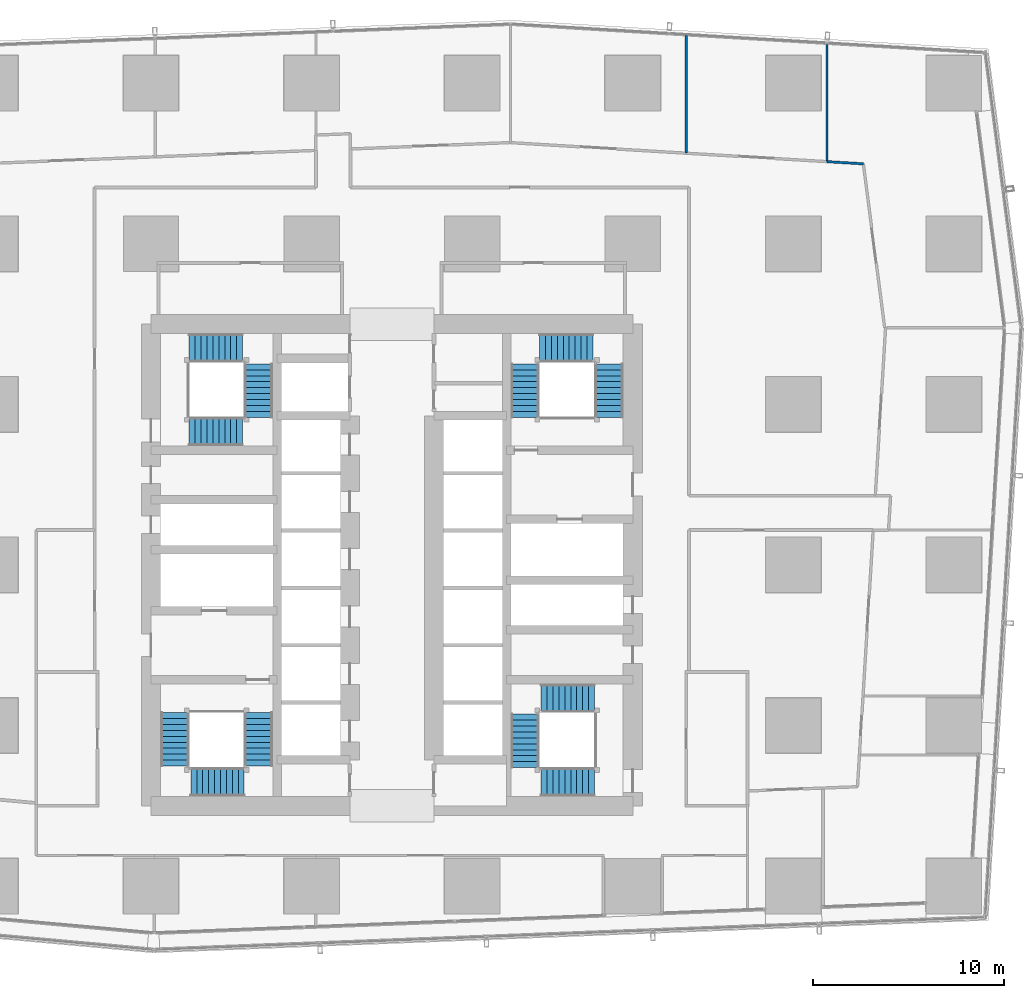
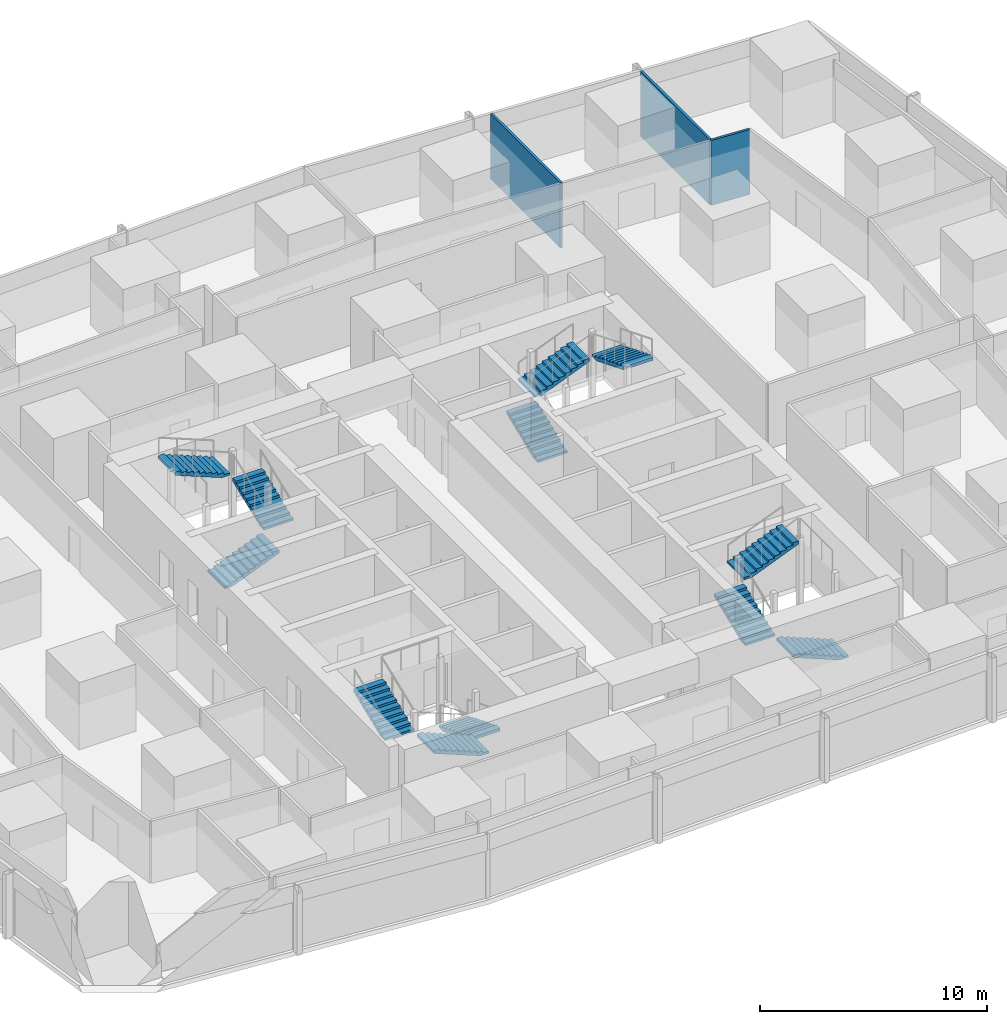
# One storey, part 32 of 40: 12 stair flights, 3 walls, 4 elements without a shape of their own.
"""IFC4 building model written with IfcOpenShell, lengths in metres."""

from ifc_helpers import new_model, si_unit, direction, frame, frame_2d, origin, place, context, subcontext, project, spatial, polyline, rectangle, outline, extrude, material, layer, layer_set, type_object, element, aggregate, save


model = new_model("IFC4")

# Units and contexts
model_context = context("Model", 3, precision=1e-05, world=origin(), true_north=direction((0.0, 1.0)))
body_context = subcontext(model_context, "Body", "Model", "MODEL_VIEW")
ifc_project = project(units=[si_unit("LENGTHUNIT", "METRE"), si_unit("AREAUNIT", "SQUARE_METRE"), si_unit("VOLUMEUNIT", "CUBIC_METRE"), si_unit("PLANEANGLEUNIT", "RADIAN"), si_unit("MASSUNIT", "GRAM", prefix="KILO")], contexts=[model_context])

# Site, building, storey
site_placement = place(None, origin())
site = spatial("IfcSite", under=ifc_project, at=site_placement, CompositionType="ELEMENT")
building_placement = place(site_placement, origin())
building = spatial("IfcBuilding", under=site, at=building_placement, Name="Rekha Terrace Tower", CompositionType="ELEMENT")
storey_placement = place(building_placement, frame((0.0, 0.0, 95.300048828125)))
storey = spatial("IfcBuildingStorey", under=building, at=storey_placement, Name="L23", CompositionType="ELEMENT", Elevation=95.300048828125)

# Walls
ifc_material_1 = material(Name="Two layers of fire-rated gypsum board each side on steel studs, acoustic quilt, 1 hour", Category="steel")
ifc_layer = layer(ifc_material_1, 0.125)
ifc_layer_set = layer_set([ifc_layer], Name="Two layers of fire-rated gypsum board each side on steel studs, acoustic quilt, 1 hour")
wall_type = type_object("IfcWallType", Name="WP3 125 office partition", PredefinedType="PARTITIONING", material=ifc_layer_set)
wall_1_placement = place(storey_placement, frame((60.56201171875, 54.696044921875, 0.0), z_axis=(0.0, 0.0, 1.0), x_axis=(0.0, 1.0, 0.0)))
element("IfcWall", 1, at=wall_1_placement, inside=storey, type_object=wall_type, Name="Partition L23-03", PredefinedType="PARTITIONING", context=body_context, shape_type="SweptSolid", body=[
    extrude(rectangle(XDim=6.130859375, YDim=0.125, at=frame_2d((3.0654296875, 0.0))), origin(), (0.0, 0.0, 1.0), 3.5),
])
wall_2_placement = place(storey_placement, frame((62.462890625, 54.58203125, 0.0), z_axis=(0.0, 0.0, 1.0), x_axis=(-0.998206071612, 0.059871851457, 0.0)))
element("IfcWall", 2, at=wall_2_placement, inside=storey, type_object=wall_type, Name="Partition L23-03", PredefinedType="PARTITIONING", context=body_context, shape_type="SweptSolid", body=[
    extrude(rectangle(XDim=1.904296875, YDim=0.125, at=frame_2d((0.9521484375, 0.0))), origin(), (0.0, 0.0, 1.0), 3.5),
])
wall_3_placement = place(storey_placement, frame((53.197021484375, 55.137939453125, 0.0), z_axis=(0.0, 0.0, 1.0), x_axis=(0.0, 1.0, 0.0)))
element("IfcWall", 3, at=wall_3_placement, inside=storey, type_object=wall_type, Name="Partition L23-04", PredefinedType="PARTITIONING", context=body_context, shape_type="SweptSolid", body=[
    extrude(rectangle(XDim=6.1611328125, YDim=0.125, at=frame_2d((3.08056640625, 0.0))), origin(), (0.0, 0.0, 1.0), 3.5),
])

# Stair, stair flights
ifc_material_2 = material(Name="Concrete M40", Category="concrete")
stair_type = type_object("IfcStairType", Name="ST30 stair, 30 risers of 125, going 310, 1500 wide flights, 3 flights", PredefinedType="HALF_TURN_STAIR", material=ifc_material_2)
stair_1_placement = place(storey_placement, origin())
stair_1 = element("IfcStair", 4, at=stair_1_placement, inside=storey, type_object=stair_type, Name="Stair ST1 L23 to L24", PredefinedType="HALF_TURN_STAIR")
stair_flight_type = type_object("IfcStairFlightType", Name="SF10 stair flight, 10 risers of 125, going 310, 1500 wide", PredefinedType="STRAIGHT", material=ifc_material_2)
stair_flight_1_placement = place(storey_placement, frame((30.824951171875, 25.875, 0.0), z_axis=(0.0, 0.0, 1.0), x_axis=(0.0, -1.0, 0.0)))
stair_flight_1 = element("IfcStairFlight", 5, at=stair_flight_1_placement, type_object=stair_flight_type, Name="ST1 flight 1", NumberOfRisers=10, NumberOfTreads=9, PredefinedType="STRAIGHT", RiserHeight=0.125, TreadLength=0.31, context=body_context, shape_type="SweptSolid", body=[
    extrude(outline(polyline([(0.0, 0.0), (0.0, 0.125), (0.31005859375, 0.125), (0.31005859375, 0.25), (0.6201171875, 0.25), (0.6201171875, 0.375), (0.929931640625, 0.375), (0.929931640625, 0.5), (1.239990234375, 0.5), (1.239990234375, 0.625), (1.550048828125, 0.625), (1.550048828125, 0.75), (1.860107421875, 0.75), (1.860107421875, 0.875), (2.169921875, 0.875), (2.169921875, 1.0), (2.47998046875, 1.0), (2.47998046875, 1.125), (2.7900390625, 1.125), (2.7900390625, 1.25), (2.7900390625, 0.96337890625), (0.40087890625, 0.0), (0.0, 0.0)])), frame((0.0, 0.75, 0.0), z_axis=(0.0, -1.0, 0.0), x_axis=(1.0, 0.0, 0.0)), (0.0, 0.0, 1.0), 1.5),
])
stair_flight_2_placement = place(storey_placement, frame((30.074951171875, 22.25, 1.25), z_axis=(0.0, 0.0, 1.0), x_axis=(-1.0, 0.0, 0.0)))
stair_flight_2 = element("IfcStairFlight", 6, at=stair_flight_2_placement, type_object=stair_flight_type, Name="ST1 flight 2", NumberOfRisers=10, NumberOfTreads=9, PredefinedType="STRAIGHT", RiserHeight=0.125, TreadLength=0.31, context=body_context, shape_type="SweptSolid", body=[
    extrude(outline(polyline([(0.0, 0.0), (0.0, 0.125), (0.31005859375, 0.125), (0.31005859375, 0.25), (0.6201171875, 0.25), (0.6201171875, 0.375), (0.929931640625, 0.375), (0.929931640625, 0.5), (1.239990234375, 0.5), (1.239990234375, 0.625), (1.550048828125, 0.625), (1.550048828125, 0.75), (1.860107421875, 0.75), (1.860107421875, 0.875), (2.169921875, 0.875), (2.169921875, 1.0), (2.47998046875, 1.0), (2.47998046875, 1.125), (2.7900390625, 1.125), (2.7900390625, 1.25), (2.7900390625, 0.96337890625), (0.40087890625, 0.0), (0.0, 0.0)])), frame((0.0, 0.75, 0.0), z_axis=(0.0, -1.0, 0.0), x_axis=(1.0, 0.0, 0.0)), (0.0, 0.0, 1.0), 1.5),
])
stair_flight_3_placement = place(storey_placement, frame((26.449951171875, 23.0849609375, 2.5), z_axis=(0.0, 0.0, 1.0), x_axis=(0.0, 1.0, 0.0)))
stair_flight_3 = element("IfcStairFlight", 7, at=stair_flight_3_placement, type_object=stair_flight_type, Name="ST1 flight 3", NumberOfRisers=10, NumberOfTreads=9, PredefinedType="STRAIGHT", RiserHeight=0.125, TreadLength=0.31, context=body_context, shape_type="SweptSolid", body=[
    extrude(outline(polyline([(0.0, 0.0), (0.0, 0.125), (0.31005859375, 0.125), (0.31005859375, 0.25), (0.6201171875, 0.25), (0.6201171875, 0.375), (0.929931640625, 0.375), (0.929931640625, 0.5), (1.239990234375, 0.5), (1.239990234375, 0.625), (1.550048828125, 0.625), (1.550048828125, 0.75), (1.860107421875, 0.75), (1.860107421875, 0.875), (2.169921875, 0.875), (2.169921875, 1.0), (2.47998046875, 1.0), (2.47998046875, 1.125), (2.7900390625, 1.125), (2.7900390625, 1.25), (2.7900390625, 0.96337890625), (0.40087890625, 0.0), (0.0, 0.0)])), frame((0.0, 0.75, 0.0), z_axis=(0.0, -1.0, 0.0), x_axis=(1.0, 0.0, 0.0)), (0.0, 0.0, 1.0), 1.5),
])
aggregate(stair_1, [stair_flight_1, stair_flight_2, stair_flight_3])

stair_2_placement = place(storey_placement, origin())
stair_2 = element("IfcStair", 8, at=stair_2_placement, inside=storey, type_object=stair_type, Name="Stair ST2 L23 to L24", PredefinedType="HALF_TURN_STAIR")
stair_flight_4_placement = place(storey_placement, frame((44.77490234375, 41.324951171875, 0.0), z_axis=(0.0, 0.0, 1.0), x_axis=(0.0, 1.0, 0.0)))
stair_flight_4 = element("IfcStairFlight", 9, at=stair_flight_4_placement, type_object=stair_flight_type, Name="ST2 flight 1", NumberOfRisers=10, NumberOfTreads=9, PredefinedType="STRAIGHT", RiserHeight=0.125, TreadLength=0.31, context=body_context, shape_type="SweptSolid", body=[
    extrude(outline(polyline([(0.0, 0.0), (0.0, 0.125), (0.31005859375, 0.125), (0.31005859375, 0.25), (0.6201171875, 0.25), (0.6201171875, 0.375), (0.929931640625, 0.375), (0.929931640625, 0.5), (1.239990234375, 0.5), (1.239990234375, 0.625), (1.550048828125, 0.625), (1.550048828125, 0.75), (1.860107421875, 0.75), (1.860107421875, 0.875), (2.169921875, 0.875), (2.169921875, 1.0), (2.47998046875, 1.0), (2.47998046875, 1.125), (2.7900390625, 1.125), (2.7900390625, 1.25), (2.7900390625, 0.96337890625), (0.40087890625, 0.0), (0.0, 0.0)])), frame((0.0, 0.75, 0.0), z_axis=(0.0, -1.0, 0.0), x_axis=(1.0, 0.0, 0.0)), (0.0, 0.0, 1.0), 1.5),
])
stair_flight_5_placement = place(storey_placement, frame((45.52490234375, 44.949951171875, 1.25), z_axis=(0.0, 0.0, 1.0), x_axis=(1.0, 0.0, 0.0)))
stair_flight_5 = element("IfcStairFlight", 10, at=stair_flight_5_placement, type_object=stair_flight_type, Name="ST2 flight 2", NumberOfRisers=10, NumberOfTreads=9, PredefinedType="STRAIGHT", RiserHeight=0.125, TreadLength=0.31, context=body_context, shape_type="SweptSolid", body=[
    extrude(outline(polyline([(0.0, 0.0), (0.0, 0.125), (0.31005859375, 0.125), (0.31005859375, 0.25), (0.6201171875, 0.25), (0.6201171875, 0.375), (0.929931640625, 0.375), (0.929931640625, 0.5), (1.239990234375, 0.5), (1.239990234375, 0.625), (1.550048828125, 0.625), (1.550048828125, 0.75), (1.860107421875, 0.75), (1.860107421875, 0.875), (2.169921875, 0.875), (2.169921875, 1.0), (2.47998046875, 1.0), (2.47998046875, 1.125), (2.7900390625, 1.125), (2.7900390625, 1.25), (2.7900390625, 0.96337890625), (0.40087890625, 0.0), (0.0, 0.0)])), frame((0.0, 0.75, 0.0), z_axis=(0.0, -1.0, 0.0), x_axis=(1.0, 0.0, 0.0)), (0.0, 0.0, 1.0), 1.5),
])
stair_flight_6_placement = place(storey_placement, frame((49.14990234375, 44.114990234375, 2.5), z_axis=(0.0, 0.0, 1.0), x_axis=(0.0, -1.0, 0.0)))
stair_flight_6 = element("IfcStairFlight", 11, at=stair_flight_6_placement, type_object=stair_flight_type, Name="ST2 flight 3", NumberOfRisers=10, NumberOfTreads=9, PredefinedType="STRAIGHT", RiserHeight=0.125, TreadLength=0.31, context=body_context, shape_type="SweptSolid", body=[
    extrude(outline(polyline([(0.0, 0.0), (0.0, 0.125), (0.31005859375, 0.125), (0.31005859375, 0.25), (0.6201171875, 0.25), (0.6201171875, 0.375), (0.929931640625, 0.375), (0.929931640625, 0.5), (1.239990234375, 0.5), (1.239990234375, 0.625), (1.550048828125, 0.625), (1.550048828125, 0.75), (1.860107421875, 0.75), (1.860107421875, 0.875), (2.169921875, 0.875), (2.169921875, 1.0), (2.47998046875, 1.0), (2.47998046875, 1.125), (2.7900390625, 1.125), (2.7900390625, 1.25), (2.7900390625, 0.96337890625), (0.40087890625, 0.0), (0.0, 0.0)])), frame((0.0, 0.75, 0.0), z_axis=(0.0, -1.0, 0.0), x_axis=(1.0, 0.0, 0.0)), (0.0, 0.0, 1.0), 1.5),
])
aggregate(stair_2, [stair_flight_4, stair_flight_5, stair_flight_6])

stair_3_placement = place(storey_placement, origin())
stair_3 = element("IfcStair", 12, at=stair_3_placement, inside=storey, type_object=stair_type, Name="Stair ST3 L23 to L24", PredefinedType="HALF_TURN_STAIR")
stair_flight_7_placement = place(storey_placement, frame((48.39990234375, 22.25, 0.0), z_axis=(0.0, 0.0, 1.0), x_axis=(-1.0, 0.0, 0.0)))
stair_flight_7 = element("IfcStairFlight", 13, at=stair_flight_7_placement, type_object=stair_flight_type, Name="ST3 flight 1", NumberOfRisers=10, NumberOfTreads=9, PredefinedType="STRAIGHT", RiserHeight=0.125, TreadLength=0.31, context=body_context, shape_type="SweptSolid", body=[
    extrude(outline(polyline([(0.0, 0.0), (0.0, 0.125), (0.31005859375, 0.125), (0.31005859375, 0.25), (0.6201171875, 0.25), (0.6201171875, 0.375), (0.929931640625, 0.375), (0.929931640625, 0.5), (1.239990234375, 0.5), (1.239990234375, 0.625), (1.550048828125, 0.625), (1.550048828125, 0.75), (1.860107421875, 0.75), (1.860107421875, 0.875), (2.169921875, 0.875), (2.169921875, 1.0), (2.47998046875, 1.0), (2.47998046875, 1.125), (2.7900390625, 1.125), (2.7900390625, 1.25), (2.7900390625, 0.96337890625), (0.40087890625, 0.0), (0.0, 0.0)])), frame((0.0, 0.75, 0.0), z_axis=(0.0, -1.0, 0.0), x_axis=(1.0, 0.0, 0.0)), (0.0, 0.0, 1.0), 1.5),
])
stair_flight_8_placement = place(storey_placement, frame((44.77490234375, 23.0, 1.25), z_axis=(0.0, 0.0, 1.0), x_axis=(0.0, 1.0, 0.0)))
stair_flight_8 = element("IfcStairFlight", 14, at=stair_flight_8_placement, type_object=stair_flight_type, Name="ST3 flight 2", NumberOfRisers=10, NumberOfTreads=9, PredefinedType="STRAIGHT", RiserHeight=0.125, TreadLength=0.31, context=body_context, shape_type="SweptSolid", body=[
    extrude(outline(polyline([(0.0, 0.0), (0.0, 0.125), (0.31005859375, 0.125), (0.31005859375, 0.25), (0.6201171875, 0.25), (0.6201171875, 0.375), (0.929931640625, 0.375), (0.929931640625, 0.5), (1.239990234375, 0.5), (1.239990234375, 0.625), (1.550048828125, 0.625), (1.550048828125, 0.75), (1.860107421875, 0.75), (1.860107421875, 0.875), (2.169921875, 0.875), (2.169921875, 1.0), (2.47998046875, 1.0), (2.47998046875, 1.125), (2.7900390625, 1.125), (2.7900390625, 1.25), (2.7900390625, 0.96337890625), (0.40087890625, 0.0), (0.0, 0.0)])), frame((0.0, 0.75, 0.0), z_axis=(0.0, -1.0, 0.0), x_axis=(1.0, 0.0, 0.0)), (0.0, 0.0, 1.0), 1.5),
])
stair_flight_9_placement = place(storey_placement, frame((45.610107421875, 26.625, 2.5), z_axis=(0.0, 0.0, 1.0), x_axis=(1.0, 0.0, 0.0)))
stair_flight_9 = element("IfcStairFlight", 15, at=stair_flight_9_placement, type_object=stair_flight_type, Name="ST3 flight 3", NumberOfRisers=10, NumberOfTreads=9, PredefinedType="STRAIGHT", RiserHeight=0.125, TreadLength=0.31, context=body_context, shape_type="SweptSolid", body=[
    extrude(outline(polyline([(0.0, 0.0), (0.0, 0.125), (0.31005859375, 0.125), (0.31005859375, 0.25), (0.6201171875, 0.25), (0.6201171875, 0.375), (0.929931640625, 0.375), (0.929931640625, 0.5), (1.239990234375, 0.5), (1.239990234375, 0.625), (1.550048828125, 0.625), (1.550048828125, 0.75), (1.860107421875, 0.75), (1.860107421875, 0.875), (2.169921875, 0.875), (2.169921875, 1.0), (2.47998046875, 1.0), (2.47998046875, 1.125), (2.7900390625, 1.125), (2.7900390625, 1.25), (2.7900390625, 0.96337890625), (0.40087890625, 0.0), (0.0, 0.0)])), frame((0.0, 0.75, 0.0), z_axis=(0.0, -1.0, 0.0), x_axis=(1.0, 0.0, 0.0)), (0.0, 0.0, 1.0), 1.5),
])
aggregate(stair_3, [stair_flight_7, stair_flight_8, stair_flight_9])

stair_4_placement = place(storey_placement, origin())
stair_4 = element("IfcStair", 16, at=stair_4_placement, inside=storey, type_object=stair_type, Name="Stair ST4 L23 to L24", PredefinedType="HALF_TURN_STAIR")
stair_flight_10_placement = place(storey_placement, frame((27.199951171875, 40.574951171875, 0.0), z_axis=(0.0, 0.0, 1.0), x_axis=(1.0, 0.0, 0.0)))
stair_flight_10 = element("IfcStairFlight", 17, at=stair_flight_10_placement, type_object=stair_flight_type, Name="ST4 flight 1", NumberOfRisers=10, NumberOfTreads=9, PredefinedType="STRAIGHT", RiserHeight=0.125, TreadLength=0.31, context=body_context, shape_type="SweptSolid", body=[
    extrude(outline(polyline([(0.0, 0.0), (0.0, 0.125), (0.31005859375, 0.125), (0.31005859375, 0.25), (0.6201171875, 0.25), (0.6201171875, 0.375), (0.929931640625, 0.375), (0.929931640625, 0.5), (1.239990234375, 0.5), (1.239990234375, 0.625), (1.550048828125, 0.625), (1.550048828125, 0.75), (1.860107421875, 0.75), (1.860107421875, 0.875), (2.169921875, 0.875), (2.169921875, 1.0), (2.47998046875, 1.0), (2.47998046875, 1.125), (2.7900390625, 1.125), (2.7900390625, 1.25), (2.7900390625, 0.96337890625), (0.40087890625, 0.0), (0.0, 0.0)])), frame((0.0, 0.75, 0.0), z_axis=(0.0, -1.0, 0.0), x_axis=(1.0, 0.0, 0.0)), (0.0, 0.0, 1.0), 1.5),
])
stair_flight_11_placement = place(storey_placement, frame((30.824951171875, 41.324951171875, 1.25), z_axis=(0.0, 0.0, 1.0), x_axis=(0.0, 1.0, 0.0)))
stair_flight_11 = element("IfcStairFlight", 18, at=stair_flight_11_placement, type_object=stair_flight_type, Name="ST4 flight 2", NumberOfRisers=10, NumberOfTreads=9, PredefinedType="STRAIGHT", RiserHeight=0.125, TreadLength=0.31, context=body_context, shape_type="SweptSolid", body=[
    extrude(outline(polyline([(0.0, 0.0), (0.0, 0.125), (0.31005859375, 0.125), (0.31005859375, 0.25), (0.6201171875, 0.25), (0.6201171875, 0.375), (0.929931640625, 0.375), (0.929931640625, 0.5), (1.239990234375, 0.5), (1.239990234375, 0.625), (1.550048828125, 0.625), (1.550048828125, 0.75), (1.860107421875, 0.75), (1.860107421875, 0.875), (2.169921875, 0.875), (2.169921875, 1.0), (2.47998046875, 1.0), (2.47998046875, 1.125), (2.7900390625, 1.125), (2.7900390625, 1.25), (2.7900390625, 0.96337890625), (0.40087890625, 0.0), (0.0, 0.0)])), frame((0.0, 0.75, 0.0), z_axis=(0.0, -1.0, 0.0), x_axis=(1.0, 0.0, 0.0)), (0.0, 0.0, 1.0), 1.5),
])
stair_flight_12_placement = place(storey_placement, frame((29.989990234375, 44.949951171875, 2.5), z_axis=(0.0, 0.0, 1.0), x_axis=(-1.0, 0.0, 0.0)))
stair_flight_12 = element("IfcStairFlight", 19, at=stair_flight_12_placement, type_object=stair_flight_type, Name="ST4 flight 3", NumberOfRisers=10, NumberOfTreads=9, PredefinedType="STRAIGHT", RiserHeight=0.125, TreadLength=0.31, context=body_context, shape_type="SweptSolid", body=[
    extrude(outline(polyline([(0.0, 0.0), (0.0, 0.125), (0.31005859375, 0.125), (0.31005859375, 0.25), (0.6201171875, 0.25), (0.6201171875, 0.375), (0.929931640625, 0.375), (0.929931640625, 0.5), (1.239990234375, 0.5), (1.239990234375, 0.625), (1.550048828125, 0.625), (1.550048828125, 0.75), (1.860107421875, 0.75), (1.860107421875, 0.875), (2.169921875, 0.875), (2.169921875, 1.0), (2.47998046875, 1.0), (2.47998046875, 1.125), (2.7900390625, 1.125), (2.7900390625, 1.25), (2.7900390625, 0.96337890625), (0.40087890625, 0.0), (0.0, 0.0)])), frame((0.0, 0.75, 0.0), z_axis=(0.0, -1.0, 0.0), x_axis=(1.0, 0.0, 0.0)), (0.0, 0.0, 1.0), 1.5),
])
aggregate(stair_4, [stair_flight_10, stair_flight_11, stair_flight_12])

save(model, "model.ifc")
